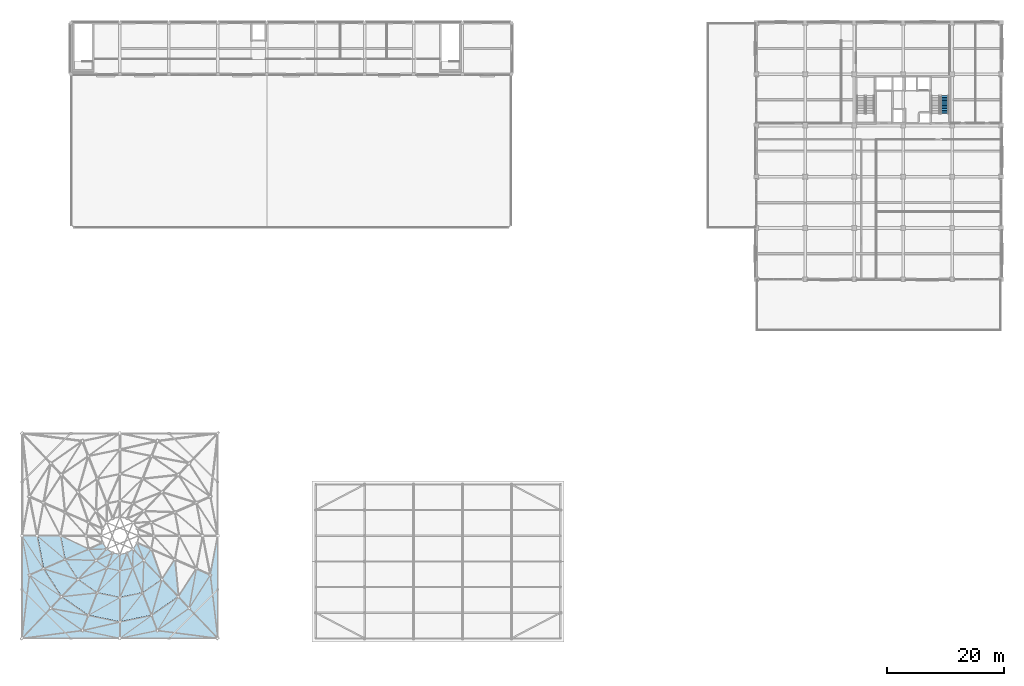
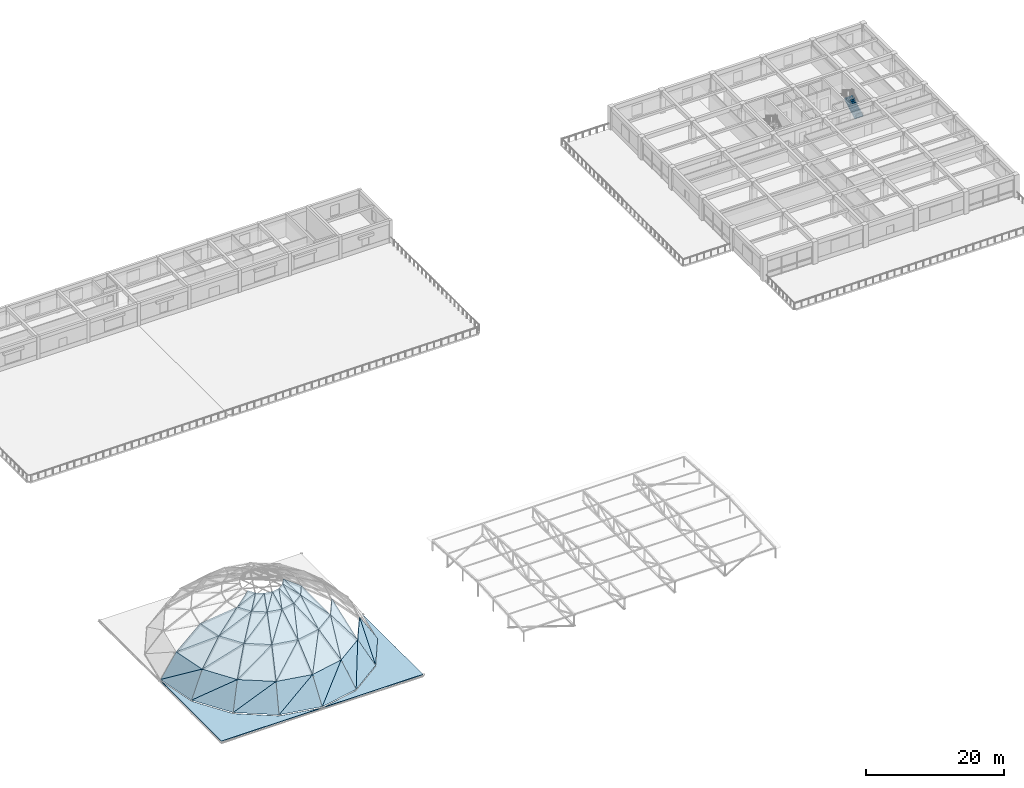
# One storey, part 39 of 49: 53 roofs, 1 stair flight, 1 element without a shape of its own.
"""IFC4 building model written with IfcOpenShell, lengths in metres."""

from ifc_helpers import new_model, si_unit, direction, frame, origin, place, context, subcontext, project, spatial, polyline, outline, extrude, material, layer, layer_set, type_object, element, aggregate, save


model = new_model("IFC4")

# Units and contexts
model_context = context("Model", 3, precision=1e-05, world=origin(), true_north=direction((0.0, 1.0)))
body_context = subcontext(model_context, "Body", "Model", "MODEL_VIEW")
ifc_project = project(units=[si_unit("LENGTHUNIT", "METRE"), si_unit("AREAUNIT", "SQUARE_METRE"), si_unit("VOLUMEUNIT", "CUBIC_METRE"), si_unit("PLANEANGLEUNIT", "RADIAN"), si_unit("MASSUNIT", "GRAM", prefix="KILO")], contexts=[model_context])

# Site, building, storey
site_placement = place(None, origin())
site = spatial("IfcSite", under=ifc_project, at=site_placement, CompositionType="ELEMENT")
building_placement = place(site_placement, origin())
building = spatial("IfcBuilding", under=site, at=building_placement, Name="Kemercrest Conservatory and Botanical Centre", CompositionType="ELEMENT")
storey_placement = place(building_placement, frame((0.0, 0.0, 13.199951171875)))
storey = spatial("IfcBuildingStorey", under=building, at=storey_placement, Name="L03", CompositionType="ELEMENT", Elevation=13.199951171875)

# Stair, stair flight
ifc_material_1 = material(Name="Concrete C40/50", Category="concrete")
stair_type = type_object("IfcStairType", Name="ST-142-40", PredefinedType="HALF_TURN_STAIR", material=ifc_material_1)
stair_placement = place(storey_placement, origin())
stair = element("IfcStair", 1, at=stair_placement, inside=storey, type_object=stair_type, Name="L03 Exit stair ST-V4B", PredefinedType="HALF_TURN_STAIR")
stair_flight_type = type_object("IfcStairFlightType", Name="FL-142-40", PredefinedType="STRAIGHT", material=ifc_material_1)
stair_flight_placement = place(storey_placement, frame((166.330078125, 106.840087890625, 0.0), z_axis=(0.0, 0.0, 1.0), x_axis=(0.0, 1.0, 0.0)))
stair_flight = element("IfcStairFlight", 2, at=stair_flight_placement, type_object=stair_flight_type, Name="ST-V4B flight 1", NumberOfRisers=12, NumberOfTreads=11, PredefinedType="STRAIGHT", RiserHeight=0.166666667, TreadLength=0.28, context=body_context, shape_type="SweptSolid", body=[
    extrude(outline(polyline([(0.0, 0.0), (0.0, 0.166748046875), (0.280029296875, 0.166748046875), (0.280029296875, 0.333251953125), (0.56005859375, 0.333251953125), (0.56005859375, 0.5), (0.840087890625, 0.5), (0.840087890625, 0.666748046875), (1.1201171875, 0.666748046875), (1.1201171875, 0.833251953125), (1.39990234375, 0.833251953125), (1.39990234375, 1.0), (1.679931640625, 1.0), (1.679931640625, 1.166748046875), (1.9599609375, 1.166748046875), (1.9599609375, 1.333251953125), (2.239990234375, 1.333251953125), (2.239990234375, 1.5), (2.52001953125, 1.5), (2.52001953125, 1.666748046875), (2.800048828125, 1.666748046875), (2.800048828125, 1.833251953125), (3.080078125, 1.833251953125), (3.080078125, 2.0), (3.080078125, 1.658935546875), (0.29296875, 0.0), (0.0, 0.0)])), frame((0.0, 0.7099609375, 0.0), z_axis=(0.0, -1.0, 0.0), x_axis=(1.0, 0.0, 0.0)), (0.0, 0.0, 1.0), 1.419921875),
])
aggregate(stair, [stair_flight])

# Roofs
ifc_material_2 = material(Name="Low-iron laminated structural glass", Category="glass")
ifc_layer = layer(ifc_material_2, 0.080078125)
ifc_layer_set = layer_set([ifc_layer], Name="Low-iron laminated structural glass")
roof_type = type_object("IfcRoofType", Name="RF-DOME01", PredefinedType="DOME_ROOF", material=ifc_layer_set)
roof_1_placement = place(storey_placement, origin())
element("IfcRoof", 3, at=roof_1_placement, inside=storey, type_object=roof_type, Name="Conservatory dome pendentive deck SW", PredefinedType="DOME_ROOF", context=body_context, shape_type="SweptSolid", body=[
    extrude(outline(polyline([(8.0, 16.800048828125), (8.0, 34.39990234375), (9.27880859375, 27.664794921875), (12.920654296875, 21.954833984375), (18.370849609375, 18.1396484375), (24.800048828125, 16.800048828125), (8.0, 16.800048828125)])), origin(), (0.0, 0.0, 1.0), 0.10009765625),
])
roof_2_placement = place(storey_placement, origin())
element("IfcRoof", 4, at=roof_2_placement, inside=storey, type_object=roof_type, Name="Conservatory dome pendentive deck SE", PredefinedType="DOME_ROOF", context=body_context, shape_type="SweptSolid", body=[
    extrude(outline(polyline([(41.60009765625, 16.800048828125), (24.800048828125, 16.800048828125), (31.22900390625, 18.1396484375), (36.679443359375, 21.954833984375), (40.3212890625, 27.664794921875), (41.60009765625, 34.39990234375), (41.60009765625, 16.800048828125)])), origin(), (0.0, 0.0, 1.0), 0.10009765625),
])
roof_3_placement = place(storey_placement, frame((8.0, 34.39990234375, 0.280029296875), z_axis=(-0.826294586867, -0.156890239823, 0.540946123345), x_axis=(0.186539311687, -0.982447497424, 0.0)))
element("IfcRoof", 5, at=roof_3_placement, inside=storey, type_object=roof_type, Name="Conservatory dome glass shell facet R0-08-T1", PredefinedType="DOME_ROOF", context=body_context, shape_type="SweptSolid", body=[
    extrude(outline(polyline([(0.0, 0.0), (6.85543750636271, 0.0), (6.25079840028184, 4.732116019476704), (0.0, 0.0)])), origin(), (0.0, 0.0, -1.0), 0.080078125),
])
roof_4_placement = place(storey_placement, frame((8.0, 34.39990234375, 0.280029296875), z_axis=(-0.826697218125, -0.157763108227, 0.54007639388), x_axis=(0.469504351017, -0.722395830397, 0.50765138491)))
element("IfcRoof", 6, at=roof_4_placement, inside=storey, type_object=roof_type, Name="Conservatory dome glass shell facet R0-08-T2", PredefinedType="DOME_ROOF", context=body_context, shape_type="SweptSolid", body=[
    extrude(outline(polyline([(0.0, 0.0), (7.839987414706357, 4.440892098500626e-16), (3.2411997595534325, 3.477840777312698), (0.0, 0.0)])), origin(), (0.0, 0.0, -1.0), 0.080078125),
])
roof_5_placement = place(storey_placement, frame((9.27880859375, 27.664794921875, 0.280029296875), z_axis=(-0.704652350936, -0.449431294634, 0.549068826036), x_axis=(0.537740594043, -0.843110344806, 0.0)))
element("IfcRoof", 7, at=roof_5_placement, inside=storey, type_object=roof_type, Name="Conservatory dome glass shell facet R0-09-T1", PredefinedType="DOME_ROOF", context=body_context, shape_type="SweptSolid", body=[
    extrude(outline(polyline([(0.0, 0.0), (6.772495406653733, 0.0), (6.091724356059357, 4.762011651380172), (0.0, 0.0)])), origin(), (0.0, 0.0, -1.0), 0.080078125),
])
roof_6_placement = place(storey_placement, frame((9.27880859375, 27.664794921875, 0.280029296875), z_axis=(-0.704754583181, -0.451799755161, 0.546989907331), x_axis=(0.708759863811, -0.482400017789, 0.514732627961)))
element("IfcRoof", 8, at=roof_6_placement, inside=storey, type_object=roof_type, Name="Conservatory dome glass shell facet R0-09-T2", PredefinedType="DOME_ROOF", context=body_context, shape_type="SweptSolid", body=[
    extrude(outline(polyline([(0.0, 0.0), (7.7321316981856505, -4.440892098500626e-16), (3.234229961666725, 3.506888510552849), (0.0, 0.0)])), origin(), (0.0, 0.0, -1.0), 0.080078125),
])
roof_7_placement = place(storey_placement, frame((12.920654296875, 21.954833984375, 0.280029296875), z_axis=(-0.475126295979, -0.678743164487, 0.559966712877), x_axis=(0.819228472444, -0.573467270153, 0.0)))
element("IfcRoof", 9, at=roof_7_placement, inside=storey, type_object=roof_type, Name="Conservatory dome glass shell facet R0-10-T1", PredefinedType="DOME_ROOF", context=body_context, shape_type="SweptSolid", body=[
    extrude(outline(polyline([(0.0, 0.0), (6.6528392210755305, 0.0), (5.984557008952832, 4.8037512425405655), (0.0, 0.0)])), origin(), (0.0, 0.0, -1.0), 0.080078125),
])
roof_8_placement = place(storey_placement, frame((12.920654296875, 21.954833984375, 0.280029296875), z_axis=(-0.474278964655, -0.68104741367, 0.557883396437), x_axis=(0.839884765954, -0.160055312785, 0.518628842977)))
element("IfcRoof", 10, at=roof_8_placement, inside=storey, type_object=roof_type, Name="Conservatory dome glass shell facet R0-10-T2", PredefinedType="DOME_ROOF", context=body_context, shape_type="SweptSolid", body=[
    extrude(outline(polyline([(0.0, 0.0), (7.674043822758408, 0.0), (3.291252709755472, 3.5082559472956287), (0.0, 0.0)])), origin(), (0.0, 0.0, -1.0), 0.080078125),
])
roof_9_placement = place(storey_placement, frame((18.370849609375, 18.1396484375, 0.280029296875), z_axis=(-0.167991457056, -0.806248775309, 0.567222868606), x_axis=(0.978974852353, -0.20398097573, 0.0)))
element("IfcRoof", 11, at=roof_9_placement, inside=storey, type_object=roof_type, Name="Conservatory dome glass shell facet R0-11-T1", PredefinedType="DOME_ROOF", context=body_context, shape_type="SweptSolid", body=[
    extrude(outline(polyline([(0.0, 0.0), (6.567277191333808, 0.0), (5.9961204992823545, 4.832628477820378), (0.0, 0.0)])), origin(), (0.0, 0.0, -1.0), 0.080078125),
])
roof_10_placement = place(storey_placement, frame((18.370849609375, 18.1396484375, 0.280029296875), z_axis=(-0.167288029843, -0.806999776386, 0.566362142082), x_axis=(0.834835918273, 0.189640330489, 0.516803187502)))
element("IfcRoof", 12, at=roof_10_placement, inside=storey, type_object=roof_type, Name="Conservatory dome glass shell facet R0-11-T2", PredefinedType="DOME_ROOF", context=body_context, shape_type="SweptSolid", body=[
    extrude(outline(polyline([(0.0, 0.0), (7.701153098501195, 4.440892098500626e-16), (3.3782094012240784, 3.4799897064116276), (0.0, 0.0)])), origin(), (0.0, 0.0, -1.0), 0.080078125),
])
roof_11_placement = place(storey_placement, frame((24.800048828125, 16.800048828125, 0.280029296875), z_axis=(0.168110258325, -0.806788305534, 0.566419960012), x_axis=(0.978973305469, 0.203988399617, 0.0)))
element("IfcRoof", 13, at=roof_11_placement, inside=storey, type_object=roof_type, Name="Conservatory dome glass shell facet R0-12-T1", PredefinedType="DOME_ROOF", context=body_context, shape_type="SweptSolid", body=[
    extrude(outline(polyline([(0.0, 0.0), (6.56703818399032, 0.0), (6.12078448832438, 4.829389083196193), (0.0, 0.0)])), origin(), (0.0, 0.0, -1.0), 0.080078125),
])
roof_12_placement = place(storey_placement, frame((24.800048828125, 16.800048828125, 0.280029296875), z_axis=(0.167156414632, -0.806364862783, 0.567304540011), x_axis=(0.696980823106, 0.503618590081, 0.510476295187)))
element("IfcRoof", 14, at=roof_12_placement, inside=storey, type_object=roof_type, Name="Conservatory dome glass shell facet R0-12-T2", PredefinedType="DOME_ROOF", context=body_context, shape_type="SweptSolid", body=[
    extrude(outline(polyline([(0.0, 0.0), (7.796601930931635, 4.440892098500626e-16), (3.441842327581205, 3.440092929498569), (0.0, 0.0)])), origin(), (0.0, 0.0, -1.0), 0.080078125),
])
roof_13_placement = place(storey_placement, frame((31.22900390625, 18.1396484375, 0.280029296875), z_axis=(0.475859684774, -0.679821300479, 0.558032758736), x_axis=(0.819240540317, 0.573450030169, 0.0)))
element("IfcRoof", 15, at=roof_13_placement, inside=storey, type_object=roof_type, Name="Conservatory dome glass shell facet R0-13-T1", PredefinedType="DOME_ROOF", context=body_context, shape_type="SweptSolid", body=[
    extrude(outline(polyline([(0.0, 0.0), (6.653039229499962, 2.220446049250313e-16), (6.282184550678528, 4.796203571988902), (0.0, 0.0)])), origin(), (0.0, 0.0, -1.0), 0.080078125),
])
roof_14_placement = place(storey_placement, frame((31.22900390625, 18.1396484375, 0.280029296875), z_axis=(0.47341283833, -0.679767662009, 0.560175160277), x_axis=(0.45697449261, 0.733216407401, 0.503555372349)))
element("IfcRoof", 16, at=roof_14_placement, inside=storey, type_object=roof_type, Name="Conservatory dome glass shell facet R0-13-T2", PredefinedType="DOME_ROOF", context=body_context, shape_type="SweptSolid", body=[
    extrude(outline(polyline([(0.0, 0.0), (7.903759322799694, 0.0), (3.446276776237451, 3.412523649640611), (0.0, 0.0)])), origin(), (0.0, 0.0, -1.0), 0.080078125),
])
roof_15_placement = place(storey_placement, frame((36.679443359375, 21.954833984375, 0.280029296875), z_axis=(0.705727009834, -0.450116718219, 0.547123685807), x_axis=(0.537740594043, 0.843110344806, 0.0)))
element("IfcRoof", 17, at=roof_15_placement, inside=storey, type_object=roof_type, Name="Conservatory dome glass shell facet R0-14-T1", PredefinedType="DOME_ROOF", context=body_context, shape_type="SweptSolid", body=[
    extrude(outline(polyline([(0.0, 0.0), (6.772495406653733, -2.220446049250313e-16), (6.3842096641164945, 4.754760209782679), (0.0, 0.0)])), origin(), (0.0, 0.0, -1.0), 0.080078125),
])
roof_16_placement = place(storey_placement, frame((36.679443359375, 21.954833984375, 0.280029296875), z_axis=(0.703445470131, -0.450996284786, 0.549333069879), x_axis=(0.155741739549, 0.851917743097, 0.499980669185)))
element("IfcRoof", 18, at=roof_16_placement, inside=storey, type_object=roof_type, Name="Conservatory dome glass shell facet R0-14-T2", PredefinedType="DOME_ROOF", context=body_context, shape_type="SweptSolid", body=[
    extrude(outline(polyline([(0.0, 0.0), (7.960268694455674, -4.440892098500626e-16), (3.390343438729235, 3.4127222659086214), (0.0, 0.0)])), origin(), (0.0, 0.0, -1.0), 0.080078125),
])
roof_17_placement = place(storey_placement, frame((10.60009765625, 34.39990234375, 4.260009765625), z_axis=(-0.663384931454, -0.126597339924, 0.737491387233), x_axis=(0.187452601335, -0.982273649373, 0.0)))
element("IfcRoof", 19, at=roof_17_placement, inside=storey, type_object=roof_type, Name="Conservatory dome glass shell facet R1-08-T1", PredefinedType="DOME_ROOF", context=body_context, shape_type="SweptSolid", body=[
    extrude(outline(polyline([(0.0, 0.0), (5.765780464908971, 0.0), (4.879833832240139, 5.330662327754197), (0.0, 0.0)])), origin(), (0.0, 0.0, -1.0), 0.080078125),
])
roof_18_placement = place(storey_placement, frame((10.60009765625, 34.39990234375, 4.260009765625), z_axis=(-0.663557833451, -0.127000536285, 0.737266481979), x_axis=(0.660910932157, -0.561287831619, 0.498149284685)))
element("IfcRoof", 20, at=roof_18_placement, inside=storey, type_object=roof_type, Name="Conservatory dome glass shell facet R1-08-T2", PredefinedType="DOME_ROOF", context=body_context, shape_type="SweptSolid", body=[
    extrude(outline(polyline([(0.0, 0.0), (7.226945349372254, 4.440892098500626e-16), (4.437029800885663, 3.0452372125319362), (0.0, 0.0)])), origin(), (0.0, 0.0, -1.0), 0.080078125),
])
roof_19_placement = place(storey_placement, frame((11.680908203125, 28.736328125, 4.260009765625), z_axis=(-0.564432034082, -0.361842634144, 0.741947698304), x_axis=(0.539694897582, -0.841860687717, 0.0)))
element("IfcRoof", 21, at=roof_19_placement, inside=storey, type_object=roof_type, Name="Conservatory dome glass shell facet R1-09-T1", PredefinedType="DOME_ROOF", context=body_context, shape_type="SweptSolid", body=[
    extrude(outline(polyline([(0.0, 0.0), (5.703453958508611, -4.440892098500626e-16), (4.729608773548278, 5.369611407106377), (0.0, 0.0)])), origin(), (0.0, 0.0, -1.0), 0.080078125),
])
roof_20_placement = place(storey_placement, frame((11.680908203125, 28.736328125, 4.260009765625), z_axis=(-0.564440989044, -0.362909307546, 0.741419722144), x_axis=(0.825442126685, -0.255961097606, 0.503119480845)))
element("IfcRoof", 22, at=roof_20_placement, inside=storey, type_object=roof_type, Name="Conservatory dome glass shell facet R1-09-T2", PredefinedType="DOME_ROOF", context=body_context, shape_type="SweptSolid", body=[
    extrude(outline(polyline([(0.0, 0.0), (7.155552097088789, 0.0), (4.450372419588141, 3.0651341920777684), (0.0, 0.0)])), origin(), (0.0, 0.0, -1.0), 0.080078125),
])
roof_21_placement = place(storey_placement, frame((14.759033203125, 23.934814453125, 4.260009765625), z_axis=(-0.379204889575, -0.544524485676, 0.74812882328), x_axis=(0.82061879792, -0.571475973686, 0.0)))
element("IfcRoof", 23, at=roof_21_placement, inside=storey, type_object=roof_type, Name="Conservatory dome glass shell facet R1-10-T1", PredefinedType="DOME_ROOF", context=body_context, shape_type="SweptSolid", body=[
    extrude(outline(polyline([(0.0, 0.0), (5.613975216542434, 0.0), (4.652407862632924, 5.425482028409309), (0.0, 0.0)])), origin(), (0.0, 0.0, -1.0), 0.080078125),
])
roof_22_placement = place(storey_placement, frame((14.759033203125, 23.934814453125, 4.260009765625), z_axis=(-0.378800430707, -0.545501597727, 0.747621722914), x_axis=(0.858735465908, 0.094041081095, 0.503715866991)))
element("IfcRoof", 24, at=roof_22_placement, inside=storey, type_object=roof_type, Name="Conservatory dome glass shell facet R1-10-T2", PredefinedType="DOME_ROOF", context=body_context, shape_type="SweptSolid", body=[
    extrude(outline(polyline([(0.0, 0.0), (7.147080114346071, -2.220446049250313e-16), (4.5215464596458235, 3.055604477163508), (0.0, 0.0)])), origin(), (0.0, 0.0, -1.0), 0.080078125),
])
roof_23_placement = place(storey_placement, frame((19.365966796875, 20.7265625, 4.260009765625), z_axis=(-0.133698417088, -0.644963018539, 0.752427696184), x_axis=(0.979182696245, -0.202980903966, 0.0)))
element("IfcRoof", 25, at=roof_23_placement, inside=storey, type_object=roof_type, Name="Conservatory dome glass shell facet R1-11-T1", PredefinedType="DOME_ROOF", context=body_context, shape_type="SweptSolid", body=[
    extrude(outline(polyline([(0.0, 0.0), (5.549609947244837, 1.1102230246251565e-16), (4.697100061764938, 5.465667376984258), (0.0, 0.0)])), origin(), (0.0, 0.0, -1.0), 0.080078125),
])
roof_24_placement = place(storey_placement, frame((19.365966796875, 20.7265625, 4.260009765625), z_axis=(-0.133381422676, -0.645275512004, 0.752215999359), x_axis=(0.754033805362, 0.426477292466, 0.499549936826)))
element("IfcRoof", 26, at=roof_24_placement, inside=storey, type_object=roof_type, Name="Conservatory dome glass shell facet R1-11-T2", PredefinedType="DOME_ROOF", context=body_context, shape_type="SweptSolid", body=[
    extrude(outline(polyline([(0.0, 0.0), (7.206682237067357, -6.661338147750939e-16), (4.607380708177576, 3.0220043061865467), (0.0, 0.0)])), origin(), (0.0, 0.0, -1.0), 0.080078125),
])
roof_25_placement = place(storey_placement, frame((24.800048828125, 19.60009765625, 4.260009765625), z_axis=(0.133739135606, -0.645159445237, 0.752252041425), x_axis=(0.979182696245, 0.202980903966, 0.0)))
element("IfcRoof", 27, at=roof_25_placement, inside=storey, type_object=roof_type, Name="Conservatory dome glass shell facet R1-12-T1", PredefinedType="DOME_ROOF", context=body_context, shape_type="SweptSolid", body=[
    extrude(outline(polyline([(0.0, 0.0), (5.549609947244837, -1.1102230246251565e-16), (4.83835579250352, 5.464003287581459), (0.0, 0.0)])), origin(), (0.0, 0.0, -1.0), 0.080078125),
])
roof_26_placement = place(storey_placement, frame((24.800048828125, 19.60009765625, 4.260009765625), z_axis=(0.133331811914, -0.644995161536, 0.752465194894), x_axis=(0.534826785478, 0.686028753851, 0.493279695938)))
element("IfcRoof", 28, at=roof_26_placement, inside=storey, type_object=roof_type, Name="Conservatory dome glass shell facet R1-12-T2", PredefinedType="DOME_ROOF", context=body_context, shape_type="SweptSolid", body=[
    extrude(outline(polyline([(0.0, 0.0), (7.298288751587824, -2.220446049250313e-16), (4.65714234590006, 2.985183101703381), (0.0, 0.0)])), origin(), (0.0, 0.0, -1.0), 0.080078125),
])
roof_27_placement = place(storey_placement, frame((30.234130859375, 20.7265625, 4.260009765625), z_axis=(0.379500146696, -0.544919585115, 0.747691302889), x_axis=(0.820604594636, 0.571496368547, 0.0)))
element("IfcRoof", 29, at=roof_27_placement, inside=storey, type_object=roof_type, Name="Conservatory dome glass shell facet R1-13-T1", PredefinedType="DOME_ROOF", context=body_context, shape_type="SweptSolid", body=[
    extrude(outline(polyline([(0.0, 0.0), (5.613774871889992, -2.220446049250313e-16), (4.990129631293104, 5.421454391717982), (0.0, 0.0)])), origin(), (0.0, 0.0, -1.0), 0.080078125),
])
roof_28_placement = place(storey_placement, frame((30.234130859375, 20.7265625, 4.260009765625), z_axis=(0.378400236866, -0.544925287982, 0.748244406099), x_axis=(0.241343620673, 0.838473594833, 0.48858498496)))
element("IfcRoof", 30, at=roof_28_placement, inside=storey, type_object=roof_type, Name="Conservatory dome glass shell facet R1-13-T2", PredefinedType="DOME_ROOF", context=body_context, shape_type="SweptSolid", body=[
    extrude(outline(polyline([(0.0, 0.0), (7.368416482432819, -2.220446049250313e-16), (4.643102783904285, 2.9669531404183047), (0.0, 0.0)])), origin(), (0.0, 0.0, -1.0), 0.080078125),
])
roof_29_placement = place(storey_placement, frame((34.8408203125, 23.934814453125, 4.260009765625), z_axis=(0.563827201985, -0.36255470134, 0.742059953668), x_axis=(-0.083669271834, 0.868796829761, 0.488048687682)))
element("IfcRoof", 31, at=roof_29_placement, inside=storey, type_object=roof_type, Name="Conservatory dome glass shell facet R1-14-T2", PredefinedType="DOME_ROOF", context=body_context, shape_type="SweptSolid", body=[
    extrude(outline(polyline([(0.0, 0.0), (7.376513342036033, 0.0), (4.573971654491029, 2.976555796807773), (0.0, 0.0)])), origin(), (0.0, 0.0, -1.0), 0.080078125),
])
roof_30_placement = place(storey_placement, frame((14.60009765625, 34.39990234375, 7.860107421875), z_axis=(-0.506154335918, -0.096874558424, 0.856984893777), x_axis=(0.187981276325, -0.982172611994, 0.0)))
element("IfcRoof", 32, at=roof_30_placement, inside=storey, type_object=roof_type, Name="Conservatory dome glass shell facet R2-08-T1", PredefinedType="DOME_ROOF", context=body_context, shape_type="SweptSolid", body=[
    extrude(outline(polyline([(0.0, 0.0), (4.130024025145195, 0.0), (3.1650439337690717, 5.044913649930178), (0.0, 0.0)])), origin(), (0.0, 0.0, -1.0), 0.080078125),
])
roof_31_placement = place(storey_placement, frame((15.37646484375, 30.343505859375, 7.860107421875), z_axis=(-0.429619063861, -0.276225079327, 0.85972505228), x_axis=(0.54081493751, -0.841141607202, 0.0)))
element("IfcRoof", 33, at=roof_31_placement, inside=storey, type_object=roof_type, Name="Conservatory dome glass shell facet R2-09-T1", PredefinedType="DOME_ROOF", context=body_context, shape_type="SweptSolid", body=[
    extrude(outline(polyline([(0.0, 0.0), (4.0881590848457385, 4.440892098500626e-16), (3.034842661717888, 5.090195358111746), (0.0, 0.0)])), origin(), (0.0, 0.0, -1.0), 0.080078125),
])
roof_32_placement = place(storey_placement, frame((15.37646484375, 30.343505859375, 7.860107421875), z_axis=(-0.429500803426, -0.277427459883, 0.859396918984), x_axis=(0.898084236958, -0.031391751769, 0.438701790797)))
element("IfcRoof", 34, at=roof_32_placement, inside=storey, type_object=roof_type, Name="Conservatory dome glass shell facet R2-09-T2", PredefinedType="DOME_ROOF", context=body_context, shape_type="SweptSolid", body=[
    extrude(outline(polyline([(0.0, 0.0), (5.926243225275628, 0.0), (4.735955076548118, 1.9882328397152595), (0.0, 0.0)])), origin(), (0.0, 0.0, -1.0), 0.080078125),
])
roof_33_placement = place(storey_placement, frame((17.58740234375, 26.90478515625, 7.860107421875), z_axis=(-0.287674410558, -0.414273157745, 0.863493592496), x_axis=(0.821384161354, -0.570375367173, 0.0)))
element("IfcRoof", 35, at=roof_33_placement, inside=storey, type_object=roof_type, Name="Conservatory dome glass shell facet R2-10-T1", PredefinedType="DOME_ROOF", context=body_context, shape_type="SweptSolid", body=[
    extrude(outline(polyline([(0.0, 0.0), (4.028665497757951, 0.0), (2.9877872127186533, 5.154759509874143), (0.0, 0.0)])), origin(), (0.0, 0.0, -1.0), 0.080078125),
])
roof_34_placement = place(storey_placement, frame((17.58740234375, 26.90478515625, 7.860107421875), z_axis=(-0.287109671269, -0.415306726064, 0.863185009109), x_axis=(0.838011736516, 0.327607639404, 0.436359443654)))
element("IfcRoof", 36, at=roof_34_placement, inside=storey, type_object=roof_type, Name="Conservatory dome glass shell facet R2-10-T2", PredefinedType="DOME_ROOF", context=body_context, shape_type="SweptSolid", body=[
    extrude(outline(polyline([(0.0, 0.0), (5.958054886716219, -1.1102230246251565e-16), (4.807404752295787, 1.976973398550697), (0.0, 0.0)])), origin(), (0.0, 0.0, -1.0), 0.080078125),
])
roof_35_placement = place(storey_placement, frame((20.896484375, 24.60693359375, 7.860107421875), z_axis=(-0.101186591751, -0.489522667326, 0.866099781678), x_axis=(0.979297696585, -0.202425347878, 0.0)))
element("IfcRoof", 37, at=roof_35_placement, inside=storey, type_object=roof_type, Name="Conservatory dome glass shell facet R2-11-T1", PredefinedType="DOME_ROOF", context=body_context, shape_type="SweptSolid", body=[
    extrude(outline(polyline([(0.0, 0.0), (3.9860856067950663, 1.1102230246251565e-16), (3.0549586587091193, 5.201047324766762), (0.0, 0.0)])), origin(), (0.0, 0.0, -1.0), 0.080078125),
])
roof_36_placement = place(storey_placement, frame((20.896484375, 24.60693359375, 7.860107421875), z_axis=(-0.100800137945, -0.489831562904, 0.865970191273), x_axis=(0.647154727909, 0.628819554243, 0.431018243636)))
element("IfcRoof", 38, at=roof_36_placement, inside=storey, type_object=roof_type, Name="Conservatory dome glass shell facet R2-11-T2", PredefinedType="DOME_ROOF", context=body_context, shape_type="SweptSolid", body=[
    extrude(outline(polyline([(0.0, 0.0), (6.031887406184345, 3.3306690738754696e-16), (4.882617533099072, 1.9532074222615976), (0.0, 0.0)])), origin(), (0.0, 0.0, -1.0), 0.080078125),
])
roof_37_placement = place(storey_placement, frame((24.800048828125, 23.800048828125, 7.860107421875), z_axis=(0.101226180128, -0.489683560629, 0.866004197973), x_axis=(0.979295186651, 0.20243749011, 0.0)))
element("IfcRoof", 39, at=roof_37_placement, inside=storey, type_object=roof_type, Name="Conservatory dome glass shell facet R2-12-T1", PredefinedType="DOME_ROOF", context=body_context, shape_type="SweptSolid", body=[
    extrude(outline(polyline([(0.0, 0.0), (3.98584652074974, 0.0), (3.1971820891129807, 5.199325112279029), (0.0, 0.0)])), origin(), (0.0, 0.0, -1.0), 0.080078125),
])
roof_38_placement = place(storey_placement, frame((24.800048828125, 23.800048828125, 7.860107421875), z_axis=(0.100752117959, -0.489544363637, 0.866138168399), x_axis=(0.363629985477, 0.828457183941, 0.425948269205)))
element("IfcRoof", 40, at=roof_38_placement, inside=storey, type_object=roof_type, Name="Conservatory dome glass shell facet R2-12-T2", PredefinedType="DOME_ROOF", context=body_context, shape_type="SweptSolid", body=[
    extrude(outline(polyline([(0.0, 0.0), (6.103683718388444, 0.0), (4.9181847952619755, 1.9311522434984945), (0.0, 0.0)])), origin(), (0.0, 0.0, -1.0), 0.080078125),
])
roof_39_placement = place(storey_placement, frame((28.703369140625, 24.60693359375, 7.860107421875), z_axis=(0.287904547066, -0.414604571922, 0.863257795053), x_axis=(0.821384161354, 0.570375367173, 0.0)))
element("IfcRoof", 41, at=roof_39_placement, inside=storey, type_object=roof_type, Name="Conservatory dome glass shell facet R2-13-T1", PredefinedType="DOME_ROOF", context=body_context, shape_type="SweptSolid", body=[
    extrude(outline(polyline([(0.0, 0.0), (4.028665497757951, 2.220446049250313e-16), (3.328321568205454, 5.15063905271105), (0.0, 0.0)])), origin(), (0.0, 0.0, -1.0), 0.080078125),
])
roof_40_placement = place(storey_placement, frame((28.703369140625, 24.60693359375, 7.860107421875), z_axis=(0.286705611099, -0.414722249388, 0.863600224888), x_axis=(0.032247187264, 0.90511086721, 0.423950984162)))
element("IfcRoof", 42, at=roof_40_placement, inside=storey, type_object=roof_type, Name="Conservatory dome glass shell facet R2-13-T2", PredefinedType="DOME_ROOF", context=body_context, shape_type="SweptSolid", body=[
    extrude(outline(polyline([(0.0, 0.0), (6.1324389204209595, 1.1102230246251565e-16), (4.894411632155196, 1.9234624987059599), (0.0, 0.0)])), origin(), (0.0, 0.0, -1.0), 0.080078125),
])
roof_41_placement = place(storey_placement, frame((32.012451171875, 26.90478515625, 7.860107421875), z_axis=(0.428877414781, -0.277024794446, 0.859838023324), x_axis=(-0.303859766733, 0.852119777765, 0.42609990202)))
element("IfcRoof", 43, at=roof_41_placement, inside=storey, type_object=roof_type, Name="Conservatory dome glass shell facet R2-14-T2", PredefinedType="DOME_ROOF", context=body_context, shape_type="SweptSolid", body=[
    extrude(outline(polyline([(0.0, 0.0), (6.101511648554766, -2.220446049250313e-16), (4.824882451912183, 1.9339269883330872), (0.0, 0.0)])), origin(), (0.0, 0.0, -1.0), 0.080078125),
])
roof_42_placement = place(storey_placement, frame((19.44140625, 32.10400390625, 10.4599609375), z_axis=(-0.396076845621, -0.255837922356, 0.881856048257), x_axis=(0.542582738644, -0.840002364119, 0.0)))
element("IfcRoof", 44, at=roof_42_placement, inside=storey, type_object=roof_type, Name="Conservatory dome glass shell facet R3-09-T1", PredefinedType="DOME_ROOF", context=body_context, shape_type="SweptSolid", body=[
    extrude(outline(polyline([(0.0, 0.0), (2.317294910434011, -1.1102230246251565e-16), (1.6519168425853024, 2.969439819550374), (0.0, 0.0)])), origin(), (0.0, 0.0, -1.0), 0.080078125),
])
roof_43_placement = place(storey_placement, frame((19.44140625, 32.10400390625, 10.4599609375), z_axis=(-0.395089690759, -0.264074529901, 0.879868614575), x_axis=(0.911108746552, 0.009771373672, 0.412050205936)))
element("IfcRoof", 45, at=roof_43_placement, inside=storey, type_object=roof_type, Name="Conservatory dome glass shell facet R3-09-T2", PredefinedType="DOME_ROOF", context=body_context, shape_type="SweptSolid", body=[
    extrude(outline(polyline([(0.0, 0.0), (3.3979997199453025, -5.551115123125783e-17), (2.775972577159672, 1.0826491663308189), (0.0, 0.0)])), origin(), (0.0, 0.0, -1.0), 0.080078125),
])
roof_44_placement = place(storey_placement, frame((20.69873046875, 30.157470703125, 10.4599609375), z_axis=(-0.26225961134, -0.379360890503, 0.887302209519), x_axis=(0.822572395755, -0.568660402826, 0.0)))
element("IfcRoof", 46, at=roof_44_placement, inside=storey, type_object=roof_type, Name="Conservatory dome glass shell facet R3-10-T1", PredefinedType="DOME_ROOF", context=body_context, shape_type="SweptSolid", body=[
    extrude(outline(polyline([(0.0, 0.0), (2.287448261801533, 1.1102230246251565e-16), (1.6349285979222408, 3.035953038104624), (0.0, 0.0)])), origin(), (0.0, 0.0, -1.0), 0.080078125),
])
roof_45_placement = place(storey_placement, frame((20.69873046875, 30.157470703125, 10.4599609375), z_axis=(-0.258194627687, -0.386428566323, 0.885442543231), x_axis=(0.834266796404, 0.37298798977, 0.406052794481)))
element("IfcRoof", 47, at=roof_45_placement, inside=storey, type_object=roof_type, Name="Conservatory dome glass shell facet R3-10-T2", PredefinedType="DOME_ROOF", context=body_context, shape_type="SweptSolid", body=[
    extrude(outline(polyline([(0.0, 0.0), (3.4481882735547775, -1.1102230246251565e-16), (2.840853425075061, 1.0908036635182032), (0.0, 0.0)])), origin(), (0.0, 0.0, -1.0), 0.080078125),
])
roof_46_placement = place(storey_placement, frame((22.580322265625, 28.856689453125, 10.4599609375), z_axis=(-0.091649058421, -0.445362500891, 0.890647344851), x_axis=(0.979475813432, -0.201561729755, 0.0)))
element("IfcRoof", 48, at=roof_46_placement, inside=storey, type_object=roof_type, Name="Conservatory dome glass shell facet R3-11-T1", PredefinedType="DOME_ROOF", context=body_context, shape_type="SweptSolid", body=[
    extrude(outline(polyline([(0.0, 0.0), (2.2662392802965963, 0.0), (1.7018565951016413, 3.079310929776984), (0.0, 0.0)])), origin(), (0.0, 0.0, -1.0), 0.080078125),
])
roof_47_placement = place(storey_placement, frame((22.580322265625, 28.856689453125, 10.4599609375), z_axis=(-0.089016952718, -0.447403842518, 0.889890883103), x_axis=(0.630907899994, 0.666020020253, 0.397960493452)))
element("IfcRoof", 49, at=roof_47_placement, inside=storey, type_object=roof_type, Name="Conservatory dome glass shell facet R3-11-T2", PredefinedType="DOME_ROOF", context=body_context, shape_type="SweptSolid", body=[
    extrude(outline(polyline([(0.0, 0.0), (3.5183052273125686, 1.6653345369377348e-16), (2.9079668371379404, 1.08927573893473), (0.0, 0.0)])), origin(), (0.0, 0.0, -1.0), 0.080078125),
])
roof_48_placement = place(storey_placement, frame((24.800048828125, 28.39990234375, 10.4599609375), z_axis=(0.091877159805, -0.446421838476, 0.890093326364), x_axis=(0.979471436002, 0.201583000414, 0.0)))
element("IfcRoof", 50, at=roof_48_placement, inside=storey, type_object=roof_type, Name="Conservatory dome glass shell facet R3-12-T1", PredefinedType="DOME_ROOF", context=body_context, shape_type="SweptSolid", body=[
    extrude(outline(polyline([(0.0, 0.0), (2.2660001509936585, -5.551115123125783e-17), (1.8130283176620179, 3.071990143550992), (0.0, 0.0)])), origin(), (0.0, 0.0, -1.0), 0.080078125),
])
roof_49_placement = place(storey_placement, frame((24.800048828125, 28.39990234375, 10.4599609375), z_axis=(0.088635075589, -0.445484508168, 0.890891338131), x_axis=(0.343306811044, 0.8532707363, 0.39251685832)))
element("IfcRoof", 51, at=roof_49_placement, inside=storey, type_object=roof_type, Name="Conservatory dome glass shell facet R3-12-T2", PredefinedType="DOME_ROOF", context=body_context, shape_type="SweptSolid", body=[
    extrude(outline(polyline([(0.0, 0.0), (3.567098978542481, 1.1102230246251565e-16), (2.9387808244845184, 1.0790045798021217), (0.0, 0.0)])), origin(), (0.0, 0.0, -1.0), 0.080078125),
])
roof_50_placement = place(storey_placement, frame((27.01953125, 28.856689453125, 10.4599609375), z_axis=(0.26379403628, -0.381580450002, 0.885894500829), x_axis=(0.822572395755, 0.568660402826, 0.0)))
element("IfcRoof", 52, at=roof_50_placement, inside=storey, type_object=roof_type, Name="Conservatory dome glass shell facet R3-13-T1", PredefinedType="DOME_ROOF", context=body_context, shape_type="SweptSolid", body=[
    extrude(outline(polyline([(0.0, 0.0), (2.287448261801533, 0.0), (1.9010461784236683, 3.018293646998536), (0.0, 0.0)])), origin(), (0.0, 0.0, -1.0), 0.080078125),
])
roof_51_placement = place(storey_placement, frame((27.01953125, 28.856689453125, 10.4599609375), z_axis=(0.255479814584, -0.382365424714, 0.887990285039), x_axis=(0.012114353447, 0.919664221881, 0.392518740231)))
element("IfcRoof", 53, at=roof_51_placement, inside=storey, type_object=roof_type, Name="Conservatory dome glass shell facet R3-13-T2", PredefinedType="DOME_ROOF", context=body_context, shape_type="SweptSolid", body=[
    extrude(outline(polyline([(0.0, 0.0), (3.567081876269587, 5.551115123125783e-17), (2.9166237988227848, 1.065651228126174), (0.0, 0.0)])), origin(), (0.0, 0.0, -1.0), 0.080078125),
])
roof_52_placement = place(storey_placement, frame((28.901123046875, 30.157470703125, 10.4599609375), z_axis=(0.398392213258, -0.257333487806, 0.88037669237), x_axis=(0.542582738644, 0.840002364119, 0.0)))
element("IfcRoof", 54, at=roof_52_placement, inside=storey, type_object=roof_type, Name="Conservatory dome glass shell facet R3-14-T1", PredefinedType="DOME_ROOF", context=body_context, shape_type="SweptSolid", body=[
    extrude(outline(polyline([(0.0, 0.0), (2.317294910434011, 1.1102230246251565e-16), (1.9138424710372934, 2.952182090529676), (0.0, 0.0)])), origin(), (0.0, 0.0, -1.0), 0.080078125),
])
roof_53_placement = place(storey_placement, frame((28.901123046875, 30.157470703125, 10.4599609375), z_axis=(0.390918141542, -0.261194365033, 0.882587395269), x_axis=(-0.32538087782, 0.85775923027, 0.397965309085)))
element("IfcRoof", 55, at=roof_53_placement, inside=storey, type_object=roof_type, Name="Conservatory dome glass shell facet R3-14-T2", PredefinedType="DOME_ROOF", context=body_context, shape_type="SweptSolid", body=[
    extrude(outline(polyline([(0.0, 0.0), (3.5182626535820636, -2.7755575615628914e-16), (2.8535201796510536, 1.0567997416136579), (0.0, 0.0)])), origin(), (0.0, 0.0, -1.0), 0.080078125),
])

save(model, "model.ifc")
